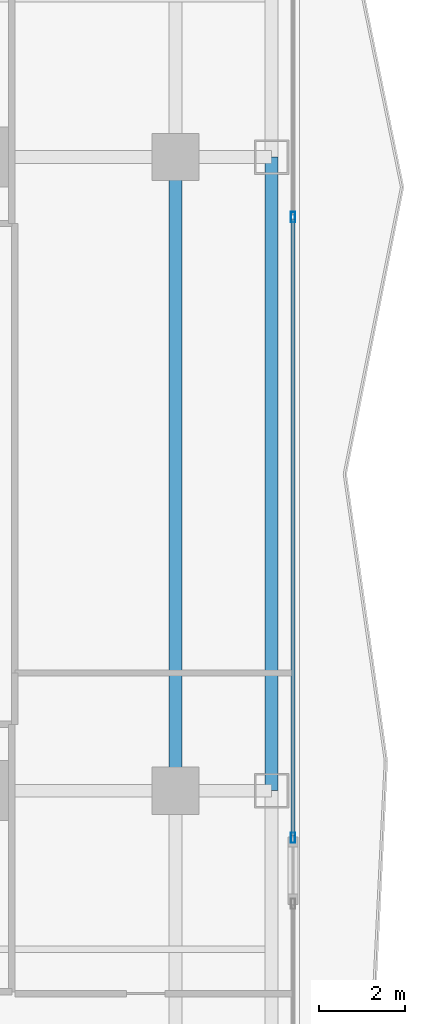
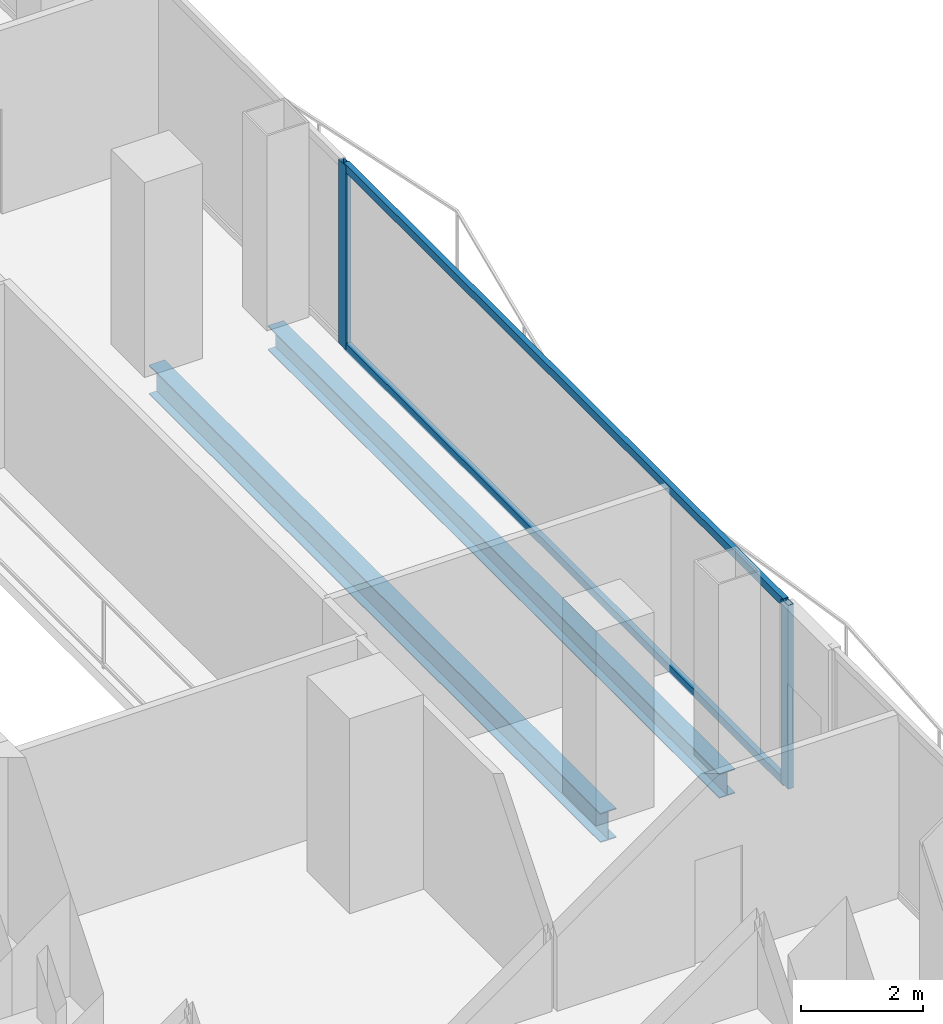
# One storey, part 12 of 29: 4 members, 2 beams, 1 element without a shape of its own.
"""IFC4 building model written with IfcOpenShell, lengths in metres."""

from ifc_helpers import new_model, si_unit, direction, frame, origin, origin_2d, place, context, subcontext, project, spatial, hollow_rectangle, i_section, extrude, material, layer, layer_set, material_profile, profile_set, type_object, element, aggregate, save


model = new_model("IFC4")

# Units and contexts
model_context = context("Model", 3, precision=1e-05, world=origin(), true_north=direction((0.0, 1.0)))
body_context = subcontext(model_context, "Body", "Model", "MODEL_VIEW")
ifc_project = project(units=[si_unit("LENGTHUNIT", "METRE"), si_unit("AREAUNIT", "SQUARE_METRE"), si_unit("VOLUMEUNIT", "CUBIC_METRE"), si_unit("PLANEANGLEUNIT", "RADIAN"), si_unit("MASSUNIT", "GRAM", prefix="KILO")], contexts=[model_context])

# Site, building, storey
site_placement = place(None, origin())
site = spatial("IfcSite", under=ifc_project, at=site_placement, CompositionType="ELEMENT")
building_placement = place(site_placement, origin())
building = spatial("IfcBuilding", under=site, at=building_placement, Name="Khorvyn Point Tower", CompositionType="ELEMENT")
storey_placement = place(building_placement, frame((0.0, 0.0, 69.60009765625)))
storey = spatial("IfcBuildingStorey", under=building, at=storey_placement, Name="L18", CompositionType="ELEMENT", Elevation=69.60009765625)

# Curtain wall, members
ifc_material_1 = material(Name="Anodised aluminium 6063-T6 and laminated Low-E glass", Category="aluminium")
ifc_layer = layer(ifc_material_1, 0.18994140625)
ifc_layer_set = layer_set([ifc_layer], Name="Stick-Built Finned Residential Curtain Wall CW-SYS-02")
curtain_wall_type = type_object("IfcCurtainWallType", Name="Stick-Built Finned Residential Curtain Wall CW-SYS-02", PredefinedType="NOTDEFINED", material=ifc_layer_set)
curtain_wall_placement = place(storey_placement, origin())
curtain_wall = element("IfcCurtainWall", 1, at=curtain_wall_placement, inside=storey, type_object=curtain_wall_type, Name="Curtain Wall", PredefinedType="NOTDEFINED")
ifc_material_2 = material(Name="Anodised aluminium 6063-T6", Category="aluminium")
ifc_material_profile_1 = material_profile(ifc_material_2, hollow_rectangle(XDim=0.10009765625, YDim=0.239990234375, WallThickness=0.0048828125, at=origin_2d()))
ifc_profile_set_1 = profile_set([ifc_material_profile_1], Name="Anodised aluminium 6063-T6 ALU-MUL-100x240")
member_type_1 = type_object("IfcMemberType", Name="Anodised Aluminium 6063-T6 Mullion ALU-MUL-100x240", PredefinedType="MULLION", material=ifc_profile_set_1)
member_1_placement = place(storey_placement, frame((22.14990234375, 6.0009765625, 0.0), z_axis=(0.0, 0.0, 1.0), x_axis=(1.0, 0.0, 0.0)))
member_1 = element("IfcMember", 2, at=member_1_placement, type_object=member_type_1, Name="Transom", PredefinedType="MULLION", context=body_context, shape_type="SweptSolid", body=[
    extrude(hollow_rectangle(XDim=0.10009765625, YDim=0.239990234375, WallThickness=0.0048828125, at=origin_2d()), origin(), (0.0, 0.0, 1.0), 3.679931640625),
])
member_2_placement = place(storey_placement, frame((22.14990234375, -8.498046875, 0.0), z_axis=(0.0, 0.0, 1.0), x_axis=(1.0, 0.0, 0.0)))
member_2 = element("IfcMember", 3, at=member_2_placement, type_object=member_type_1, Name="Transom", PredefinedType="MULLION", context=body_context, shape_type="SweptSolid", body=[
    extrude(hollow_rectangle(XDim=0.10009765625, YDim=0.239990234375, WallThickness=0.0048828125, at=origin_2d()), origin(), (0.0, 0.0, 1.0), 3.679931640625),
])
ifc_material_profile_2 = material_profile(ifc_material_2, hollow_rectangle(XDim=0.10009765625, YDim=0.159912109375, WallThickness=0.00439453125, at=origin_2d()))
ifc_profile_set_2 = profile_set([ifc_material_profile_2], Name="Anodised aluminium 6063-T6 ALU-TRN-100x160")
member_type_2 = type_object("IfcMemberType", Name="Anodised Aluminium 6063-T6 Transom ALU-TRN-100x160", PredefinedType="USERDEFINED", material=ifc_profile_set_2)
member_3_placement = place(storey_placement, frame((22.14990234375, 5.950927734375, 0.0498046875), z_axis=(0.0, -1.0, 0.0), x_axis=(1.0, 0.0, 0.0)))
member_3 = element("IfcMember", 4, at=member_3_placement, type_object=member_type_2, Name="Transom", ObjectType="TRANSOM", PredefinedType="USERDEFINED", context=body_context, shape_type="SweptSolid", body=[
    extrude(hollow_rectangle(XDim=0.10009765625, YDim=0.159912109375, WallThickness=0.00439453125, at=origin_2d()), origin(), (0.0, 0.0, 1.0), 14.39892578125),
])
member_4_placement = place(storey_placement, frame((22.14990234375, 5.950927734375, 3.6298828125), z_axis=(0.0, -1.0, 0.0), x_axis=(1.0, 0.0, 0.0)))
member_4 = element("IfcMember", 5, at=member_4_placement, type_object=member_type_2, Name="Transom", ObjectType="TRANSOM", PredefinedType="USERDEFINED", context=body_context, shape_type="SweptSolid", body=[
    extrude(hollow_rectangle(XDim=0.10009765625, YDim=0.159912109375, WallThickness=0.00439453125, at=origin_2d()), origin(), (0.0, 0.0, 1.0), 14.39892578125),
])
aggregate(curtain_wall, [member_1, member_2, member_3, member_4])

# Beams
ifc_material_3 = material(Name="Steel S355", Category="steel")
ifc_material_profile_3 = material_profile(ifc_material_3, i_section(OverallWidth=0.300048828125, OverallDepth=0.587890625, WebThickness=0.011962890625, FlangeThickness=0.02001953125, at=origin_2d()))
ifc_profile_set_3 = profile_set([ifc_material_profile_3], Name="Steel S355 H588x300x12x20")
beam_type_1 = type_object("IfcBeamType", Name="Steel S355 Beam H588x300x12x20", PredefinedType="BEAM", material=ifc_profile_set_3)
beam_1_placement = place(storey_placement, frame((19.39990234375, -7.39990234375, -0.51416015625), z_axis=(0.0, 1.0, 0.0), x_axis=(-1.0, 0.0, 0.0)))
element("IfcBeam", 6, at=beam_1_placement, inside=storey, type_object=beam_type_1, Name="Beam", PredefinedType="BEAM", context=body_context, shape_type="SweptSolid", body=[
    extrude(i_section(OverallWidth=0.300048828125, OverallDepth=0.587890625, WebThickness=0.011962890625, FlangeThickness=0.02001953125, at=origin_2d()), origin(), (0.0, 0.0, 1.0), 14.7998046875),
])
ifc_material_profile_4 = material_profile(ifc_material_3, i_section(OverallWidth=0.300048828125, OverallDepth=0.488037109375, WebThickness=0.010986328125, FlangeThickness=0.01806640625, at=origin_2d()))
ifc_profile_set_4 = profile_set([ifc_material_profile_4], Name="Steel S355 H488x300x11x18")
beam_type_2 = type_object("IfcBeamType", Name="Steel S355 Spandrel H488x300x11x18", PredefinedType="SPANDREL", material=ifc_profile_set_4)
beam_2_placement = place(storey_placement, frame((21.64990234375, -7.39990234375, -0.464111328125), z_axis=(0.0, 1.0, 0.0), x_axis=(-1.0, 0.0, 0.0)))
element("IfcBeam", 7, at=beam_2_placement, inside=storey, type_object=beam_type_2, Name="Beam", PredefinedType="SPANDREL", context=body_context, shape_type="SweptSolid", body=[
    extrude(i_section(OverallWidth=0.300048828125, OverallDepth=0.488037109375, WebThickness=0.010986328125, FlangeThickness=0.01806640625, at=origin_2d()), origin(), (0.0, 0.0, 1.0), 14.7998046875),
])

save(model, "model.ifc")
